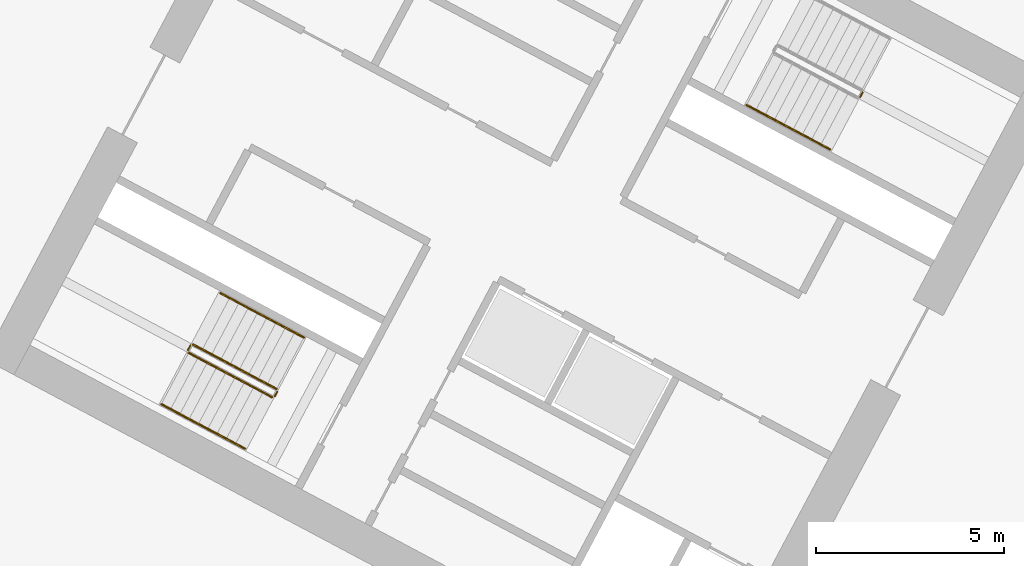
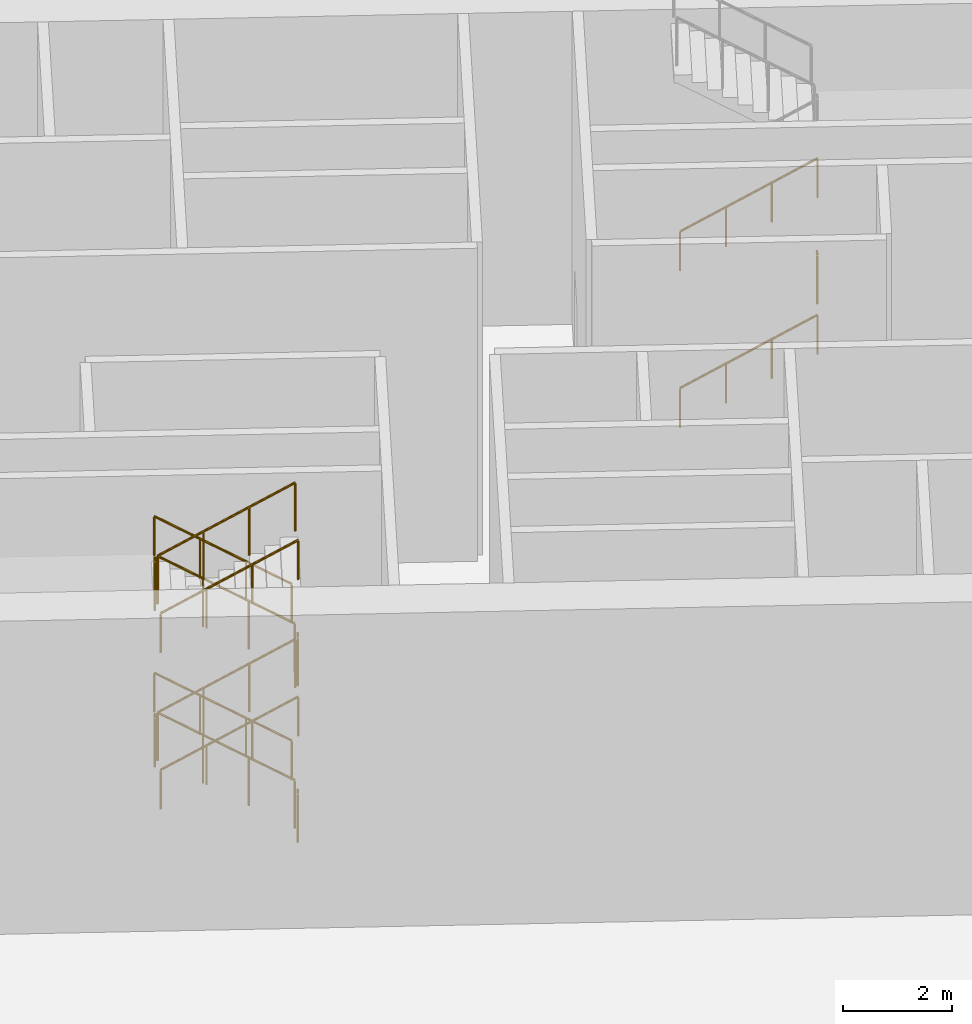
# One storey, part 43 of 57: 15 railings.
"""IFC4 building model written with IfcOpenShell, lengths in metres."""

import ifcopenshell
import ifcopenshell.guid

model = None  # the IFC model being written
_history = None  # IfcOwnerHistory: only IFC2X3 demands one
_inside = {}  # id of a spatial element -> (the spatial element, [elements in it])
_under = {}  # id of a project, library or spatial element -> (it, [spatial elements below it])
_declared = {}  # id of a project -> (the project, [libraries it declares])
_typed = {}  # id of a type object -> (the type object, [elements of that type])
_made_of = {}  # id of a material, layer set ... -> (it, [elements and type objects made of it])


def new_model(schema):
    """Start an empty IFC model of exactly this schema.

    Asked for "IFC4X3", IfcOpenShell would pick the latest addendum, in which some entities
    have other attributes; the version numbers below select the first issue.
    IFC2X3 requires an IfcOwnerHistory on every rooted entity: one is made here for all.
    """
    global model, _history
    if schema == "IFC4X3":
        model = ifcopenshell.file(schema_version=(4, 3, 0, 0))
    else:
        model = ifcopenshell.file(schema=schema)
    _inside.clear()
    _under.clear()
    _declared.clear()
    _typed.clear()
    _made_of.clear()
    _history = None
    if model.schema == "IFC2X3":
        org = make("IfcOrganization", Name="unknown")
        user = make(
            "IfcPersonAndOrganization",
            ThePerson=make("IfcPerson", FamilyName="unknown"),
            TheOrganization=org,
        )
        app = make(
            "IfcApplication",
            ApplicationDeveloper=org,
            Version="unknown",
            ApplicationFullName="unknown",
            ApplicationIdentifier="unknown",
        )
        _history = make(
            "IfcOwnerHistory",
            OwningUser=user,
            OwningApplication=app,
            ChangeAction="ADDED",
            CreationDate=0,
        )
    return model


def make(cls, **values):
    """One entity of the class cls with the attributes given. An attribute that is None is left unset."""
    return model.create_entity(
        cls, **{name: value for name, value in values.items() if value is not None}
    )


def rooted(cls, **values):
    """An entity with a GlobalId (a new one), such as an element, a storey or a relation."""
    return make(cls, GlobalId=ifcopenshell.guid.new(), OwnerHistory=_history, **values)


def si_unit(unit_type, name, prefix=None):
    """IfcSIUnit, for example si_unit("LENGTHUNIT", "METRE", prefix="MILLI")."""
    return make("IfcSIUnit", UnitType=unit_type, Prefix=prefix, Name=name)


def assignment(units):
    """IfcUnitAssignment: the units of a project."""
    return None if units is None else make("IfcUnitAssignment", Units=units)


def point(xyz):
    """IfcCartesianPoint."""
    return None if xyz is None else make("IfcCartesianPoint", Coordinates=xyz)


def direction(xyz):
    """IfcDirection."""
    return None if xyz is None else make("IfcDirection", DirectionRatios=xyz)


def frame(location, z_axis=None, x_axis=None):
    """IfcAxis2Placement3D, a coordinate frame: its origin and axes. An axis left out is left unset."""
    return make(
        "IfcAxis2Placement3D",
        Location=point(location),
        Axis=direction(z_axis),
        RefDirection=direction(x_axis),
    )


def origin():
    """The frame at (0, 0, 0) with its axes left unset."""
    return frame((0.0, 0.0, 0.0))


def place(relative_to, where):
    """IfcLocalPlacement: puts the frame where relative to a parent placement (None: the world)."""
    return make(
        "IfcLocalPlacement", PlacementRelTo=relative_to, RelativePlacement=where
    )


def context(
    kind, dimensions, precision=None, world=None, true_north=None, identifier=None
):
    """IfcGeometricRepresentationContext, for example the 3D "Model" context."""
    return make(
        "IfcGeometricRepresentationContext",
        ContextIdentifier=identifier,
        ContextType=kind,
        CoordinateSpaceDimension=dimensions,
        Precision=precision,
        WorldCoordinateSystem=world,
        TrueNorth=true_north,
    )


def subcontext(parent, identifier, kind, view, scale=None):
    """IfcGeometricRepresentationSubContext, for example "Body" below "Model"."""
    return make(
        "IfcGeometricRepresentationSubContext",
        ContextIdentifier=identifier,
        ContextType=kind,
        ParentContext=parent,
        TargetScale=scale,
        TargetView=view,
    )


def project(units=None, contexts=None):
    """IfcProject with its units and contexts."""
    return rooted(
        "IfcProject",
        Name="project",
        RepresentationContexts=contexts,
        UnitsInContext=assignment(units),
    )


def spatial(cls, under=None, at=None, **own):
    """A site, building, storey or space (cls), placed at a placement, below another one or the project."""
    s = rooted(cls, ObjectPlacement=at, **own)
    if under is not None:
        _under.setdefault(under.id(), (under, []))[1].append(s)
    return s


def polyline(points):
    """IfcPolyline through the points."""
    return make("IfcPolyline", Points=[point(p) for p in points])


def outline(outer, holes=None, kind="AREA"):
    """IfcArbitraryClosedProfileDef: a profile drawn as a closed curve; with holes, ...WithVoids."""
    if holes is None:
        return make("IfcArbitraryClosedProfileDef", ProfileType=kind, OuterCurve=outer)
    return make(
        "IfcArbitraryProfileDefWithVoids",
        ProfileType=kind,
        OuterCurve=outer,
        InnerCurves=holes,
    )


def extrude(swept, where, along, depth):
    """IfcExtrudedAreaSolid: the profile swept, set in the frame where, extruded along a direction by depth."""
    return make(
        "IfcExtrudedAreaSolid",
        SweptArea=swept,
        Position=where,
        ExtrudedDirection=direction(along),
        Depth=depth,
    )


def shape(context_of_items, identifier, shape_type, items):
    """IfcShapeRepresentation: the items that make up one representation, for example the "Body"."""
    return make(
        "IfcShapeRepresentation",
        ContextOfItems=context_of_items,
        RepresentationIdentifier=identifier,
        RepresentationType=shape_type,
        Items=items,
    )


def material(Name=None, Category=None):
    """IfcMaterial."""
    return make("IfcMaterial", Name=Name, Category=Category)


def made_of(thing, what):
    """Note that an element or type object is made of a material, layer set ...; save() writes the relation."""
    if what is not None:
        _made_of.setdefault(what.id(), (what, []))[1].append(thing)
    return thing


def type_object(cls, material=None, **own):
    """A type object (cls), such as IfcWallType, which elements share."""
    return made_of(rooted(cls, **own), material)


def element(
    cls,
    number,
    at=None,
    inside=None,
    cuts=None,
    type_object=None,
    material=None,
    context=None,
    identifier="Body",
    shape_type=None,
    held_by="IfcProductDefinitionShape",
    body=None,
    shapes=None,
    **own,
):
    """One element of the class cls, such as IfcWall. Its Tag is "e" and its number.

    at: its placement. inside: the storey or other place that contains it. cuts: it is an
    opening in that element (IfcRelVoidsElement). A single representation is given by context,
    identifier, shape_type and body (its items); several are given by shapes. held_by: the class
    of the entity that holds the representations. save() writes the other relations.
    """
    e = rooted(cls, Tag="e%d" % number, ObjectPlacement=at, **own)
    if body is not None:
        shapes = [shape(context, identifier, shape_type, body)]
    if shapes is not None:
        e.Representation = make(held_by, Representations=shapes)
    if inside is not None:
        _inside.setdefault(inside.id(), (inside, []))[1].append(e)
    if cuts is not None:
        rooted(
            "IfcRelVoidsElement", RelatingBuildingElement=cuts, RelatedOpeningElement=e
        )
    if type_object is not None:
        _typed.setdefault(type_object.id(), (type_object, []))[1].append(e)
    return made_of(e, material)


def aggregate(whole, parts):
    """IfcRelAggregates: a whole, such as a stair, and the parts it consists of."""
    return rooted("IfcRelAggregates", RelatingObject=whole, RelatedObjects=parts)


def save(model, path):
    """Write the relations noted so far, then the file.

    IfcRelAggregates (storeys below a building ...), IfcRelContainedInSpatialStructure (elements
    in a storey), IfcRelDefinesByType, IfcRelAssociatesMaterial and IfcRelDeclares: one each for
    every whole, place, type object, material and project.
    """
    for whole, parts in _under.values():
        aggregate(whole, parts)
    for where, things in _inside.values():
        rooted(
            "IfcRelContainedInSpatialStructure",
            RelatedElements=things,
            RelatingStructure=where,
        )
    for kind, things in _typed.values():
        rooted("IfcRelDefinesByType", RelatedObjects=things, RelatingType=kind)
    for what, things in _made_of.values():
        rooted("IfcRelAssociatesMaterial", RelatedObjects=things, RelatingMaterial=what)
    for by, libraries in _declared.values():
        rooted("IfcRelDeclares", RelatingContext=by, RelatedDefinitions=libraries)
    model.write(path)


model = new_model("IFC4")

# Units and contexts
model_context = context("Model", 3, precision=1e-05, world=origin(), true_north=direction((0.0, 1.0)))
body_context = subcontext(model_context, "Body", "Model", "MODEL_VIEW")
ifc_project = project(units=[si_unit("LENGTHUNIT", "METRE"), si_unit("AREAUNIT", "SQUARE_METRE"), si_unit("VOLUMEUNIT", "CUBIC_METRE"), si_unit("PLANEANGLEUNIT", "RADIAN"), si_unit("MASSUNIT", "GRAM", prefix="KILO")], contexts=[model_context])

# Site, building, storey
site_placement = place(None, origin())
site = spatial("IfcSite", under=ifc_project, at=site_placement, CompositionType="ELEMENT")
building_placement = place(site_placement, origin())
building = spatial("IfcBuilding", under=site, at=building_placement, Name="Cormorant Relay Tower", CompositionType="ELEMENT")
storey_placement = place(building_placement, origin())
storey = spatial("IfcBuildingStorey", under=building, at=storey_placement, Name="L00", CompositionType="ELEMENT", Elevation=0.0)

# Railings
ifc_material_1 = material(Name="Steel ASTM A572 Grade 50 (Fy 345 MPa)", Category="steel")
railing_type_1 = type_object("IfcRailingType", Name="Stair guard 1100", PredefinedType="GUARDRAIL", material=ifc_material_1)
railing_1_placement = place(storey_placement, frame((-18.4580078125, 17.85546875, 1.75)))
element("IfcRailing", 1, at=railing_1_placement, inside=storey, type_object=railing_type_1, Name="L00 A1 stair guard 2", PredefinedType="GUARDRAIL", context=body_context, shape_type="SweptSolid", body=[
    extrude(outline(polyline([(0.022216796875, 0.00927734375), (0.00927734375, 0.022216796875), (-0.00927734375, 0.022216796875), (-0.022216796875, 0.00927734375), (-0.022216796875, -0.00927734375), (-0.00927734375, -0.022216796875), (0.00927734375, -0.022216796875), (0.022216796875, -0.00927734375), (0.022216796875, 0.00927734375)])), frame((0.0, 0.0, 1.076171875), z_axis=(0.469828648786, 0.882757634224, 0.0), x_axis=(-0.882757634224, 0.469828648786, 0.0)), (0.0, 0.0, 1.0), 0.150146484375),
    extrude(outline(polyline([(0.019287109375, 0.008056640625), (0.008056640625, 0.019287109375), (-0.008056640625, 0.019287109375), (-0.019287109375, 0.008056640625), (-0.019287109375, -0.008056640625), (-0.008056640625, -0.019287109375), (0.008056640625, -0.019287109375), (0.019287109375, -0.008056640625), (0.019287109375, 0.008056640625)])), origin(), (0.0, 0.0, 1.0), 1.052001953125),
    extrude(outline(polyline([(0.019287109375, 0.008056640625), (0.008056640625, 0.019287109375), (-0.008056640625, 0.019287109375), (-0.019287109375, 0.008056640625), (-0.019287109375, -0.008056640625), (-0.008056640625, -0.019287109375), (0.008056640625, -0.019287109375), (0.019287109375, -0.008056640625), (0.019287109375, 0.008056640625)])), frame((0.070556640625, 0.132568359375, 0.0)), (0.0, 0.0, 1.0), 1.052001953125),
])
railing_2_placement = place(storey_placement, frame((-33.9921875, 10.08935546875, 0.175048828125)))
element("IfcRailing", 2, at=railing_2_placement, inside=storey, type_object=railing_type_1, Name="L00 A2 stair guard 1", PredefinedType="GUARDRAIL", context=body_context, shape_type="SweptSolid", body=[
    extrude(outline(polyline([(0.022216796875, 0.00927734375), (0.00927734375, 0.022216796875), (-0.00927734375, 0.022216796875), (-0.022216796875, 0.00927734375), (-0.022216796875, -0.00927734375), (-0.00927734375, -0.022216796875), (0.00927734375, -0.022216796875), (0.022216796875, -0.00927734375), (0.022216796875, 0.00927734375)])), frame((0.0, 0.0, 1.076171875), z_axis=(-0.74875116571, 0.398118076479, 0.529975177748), x_axis=(-0.4694715809, -0.882947583228, 0.0)), (0.0, 0.0, 1.0), 2.9716796875),
    extrude(outline(polyline([(0.019287109375, 0.008056640625), (0.008056640625, 0.019287109375), (-0.008056640625, 0.019287109375), (-0.019287109375, 0.008056640625), (-0.019287109375, -0.008056640625), (-0.008056640625, -0.019287109375), (0.008056640625, -0.019287109375), (0.019287109375, -0.008056640625), (0.019287109375, 0.008056640625)])), origin(), (0.0, 0.0, 1.0), 1.052001953125),
    extrude(outline(polyline([(0.019287109375, 0.008056640625), (0.008056640625, 0.019287109375), (-0.008056640625, 0.019287109375), (-0.019287109375, 0.008056640625), (-0.019287109375, -0.008056640625), (-0.008056640625, -0.019287109375), (0.008056640625, -0.019287109375), (0.019287109375, -0.008056640625), (0.019287109375, 0.008056640625)])), frame((-0.74169921875, 0.394287109375, 0.52490234375)), (0.0, 0.0, 1.0), 1.052001953125),
    extrude(outline(polyline([(0.019287109375, 0.008056640625), (0.008056640625, 0.019287109375), (-0.008056640625, 0.019287109375), (-0.019287109375, 0.008056640625), (-0.019287109375, -0.008056640625), (-0.008056640625, -0.019287109375), (0.008056640625, -0.019287109375), (0.019287109375, -0.008056640625), (0.019287109375, 0.008056640625)])), frame((-1.4833984375, 0.788818359375, 1.050048828125)), (0.0, 0.0, 1.0), 1.052001953125),
    extrude(outline(polyline([(0.019287109375, 0.008056640625), (0.008056640625, 0.019287109375), (-0.008056640625, 0.019287109375), (-0.019287109375, 0.008056640625), (-0.019287109375, -0.008056640625), (-0.008056640625, -0.019287109375), (0.008056640625, -0.019287109375), (0.019287109375, -0.008056640625), (0.019287109375, 0.008056640625)])), frame((-2.22509765625, 1.18310546875, 1.574951171875)), (0.0, 0.0, 1.0), 1.052001953125),
])
railing_3_placement = place(storey_placement, frame((-36.284912109375, 11.251708984375, 1.75)))
element("IfcRailing", 3, at=railing_3_placement, inside=storey, type_object=railing_type_1, Name="L00 A2 stair guard 2", PredefinedType="GUARDRAIL", context=body_context, shape_type="SweptSolid", body=[
    extrude(outline(polyline([(0.022216796875, 0.00927734375), (0.00927734375, 0.022216796875), (-0.00927734375, 0.022216796875), (-0.022216796875, 0.00927734375), (-0.022216796875, -0.00927734375), (-0.00927734375, -0.022216796875), (0.00927734375, -0.022216796875), (0.022216796875, -0.00927734375), (0.022216796875, 0.00927734375)])), frame((0.0, 0.0, 1.076171875), z_axis=(-0.469234640946, -0.883073525669, 0.0), x_axis=(0.883073525669, -0.469234640946, 0.0)), (0.0, 0.0, 1.0), 0.14990234375),
    extrude(outline(polyline([(0.019287109375, 0.008056640625), (0.008056640625, 0.019287109375), (-0.008056640625, 0.019287109375), (-0.019287109375, 0.008056640625), (-0.019287109375, -0.008056640625), (-0.008056640625, -0.019287109375), (0.008056640625, -0.019287109375), (0.019287109375, -0.008056640625), (0.019287109375, 0.008056640625)])), origin(), (0.0, 0.0, 1.0), 1.052001953125),
    extrude(outline(polyline([(0.019287109375, 0.008056640625), (0.008056640625, 0.019287109375), (-0.008056640625, 0.019287109375), (-0.019287109375, 0.008056640625), (-0.019287109375, -0.008056640625), (-0.008056640625, -0.019287109375), (0.008056640625, -0.019287109375), (0.019287109375, -0.008056640625), (0.019287109375, 0.008056640625)])), frame((-0.0703125, -0.13232421875, 0.0)), (0.0, 0.0, 1.0), 1.052001953125),
])
railing_4_placement = place(storey_placement, frame((-36.334716796875, 11.0517578125, 1.925048828125)))
element("IfcRailing", 4, at=railing_4_placement, inside=storey, type_object=railing_type_1, Name="L00 A2 stair guard 3", PredefinedType="GUARDRAIL", context=body_context, shape_type="SweptSolid", body=[
    extrude(outline(polyline([(0.022216796875, 0.00927734375), (0.00927734375, 0.022216796875), (-0.00927734375, 0.022216796875), (-0.022216796875, 0.00927734375), (-0.022216796875, -0.00927734375), (-0.00927734375, -0.022216796875), (0.00927734375, -0.022216796875), (0.022216796875, -0.00927734375), (0.022216796875, 0.00927734375)])), frame((0.0, 0.0, 1.076171875), z_axis=(0.74875116571, -0.398118076479, 0.529975177748), x_axis=(0.4694715809, 0.882947583228, 0.0)), (0.0, 0.0, 1.0), 2.9716796875),
    extrude(outline(polyline([(0.019287109375, 0.008056640625), (0.008056640625, 0.019287109375), (-0.008056640625, 0.019287109375), (-0.019287109375, 0.008056640625), (-0.019287109375, -0.008056640625), (-0.008056640625, -0.019287109375), (0.008056640625, -0.019287109375), (0.019287109375, -0.008056640625), (0.019287109375, 0.008056640625)])), origin(), (0.0, 0.0, 1.0), 1.052001953125),
    extrude(outline(polyline([(0.019287109375, 0.008056640625), (0.008056640625, 0.019287109375), (-0.008056640625, 0.019287109375), (-0.019287109375, 0.008056640625), (-0.019287109375, -0.008056640625), (-0.008056640625, -0.019287109375), (0.008056640625, -0.019287109375), (0.019287109375, -0.008056640625), (0.019287109375, 0.008056640625)])), frame((0.74169921875, -0.394287109375, 0.52490234375)), (0.0, 0.0, 1.0), 1.052001953125),
    extrude(outline(polyline([(0.019287109375, 0.008056640625), (0.008056640625, 0.019287109375), (-0.008056640625, 0.019287109375), (-0.019287109375, 0.008056640625), (-0.019287109375, -0.008056640625), (-0.008056640625, -0.019287109375), (0.008056640625, -0.019287109375), (0.019287109375, -0.008056640625), (0.019287109375, 0.008056640625)])), frame((1.4833984375, -0.788818359375, 1.050048828125)), (0.0, 0.0, 1.0), 1.052001953125),
    extrude(outline(polyline([(0.019287109375, 0.008056640625), (0.008056640625, 0.019287109375), (-0.008056640625, 0.019287109375), (-0.019287109375, 0.008056640625), (-0.019287109375, -0.008056640625), (-0.008056640625, -0.019287109375), (0.008056640625, -0.019287109375), (0.019287109375, -0.008056640625), (0.019287109375, 0.008056640625)])), frame((2.22509765625, -1.18310546875, 1.574951171875)), (0.0, 0.0, 1.0), 1.052001953125),
])
railing_5_placement = place(storey_placement, frame((-33.971435546875, 10.021728515625, 3.5)))
element("IfcRailing", 5, at=railing_5_placement, inside=storey, type_object=railing_type_1, Name="L00 A2 stair guard 4", PredefinedType="GUARDRAIL", context=body_context, shape_type="SweptSolid", body=[
    extrude(outline(polyline([(0.022216796875, 0.00927734375), (0.00927734375, 0.022216796875), (-0.00927734375, 0.022216796875), (-0.022216796875, 0.00927734375), (-0.022216796875, -0.00927734375), (-0.00927734375, -0.022216796875), (0.00927734375, -0.022216796875), (0.022216796875, -0.00927734375), (0.022216796875, 0.00927734375)])), frame((0.0, 0.0, 1.076171875), z_axis=(-0.470503732759, -0.882398003998, 0.0), x_axis=(0.882398003998, -0.470503732759, 0.0)), (0.0, 0.0, 1.0), 0.14990234375),
    extrude(outline(polyline([(0.019287109375, 0.008056640625), (0.008056640625, 0.019287109375), (-0.008056640625, 0.019287109375), (-0.019287109375, 0.008056640625), (-0.019287109375, -0.008056640625), (-0.008056640625, -0.019287109375), (0.008056640625, -0.019287109375), (0.019287109375, -0.008056640625), (0.019287109375, 0.008056640625)])), origin(), (0.0, 0.0, 1.0), 1.052001953125),
    extrude(outline(polyline([(0.019287109375, 0.008056640625), (0.008056640625, 0.019287109375), (-0.008056640625, 0.019287109375), (-0.019287109375, 0.008056640625), (-0.019287109375, -0.008056640625), (-0.008056640625, -0.019287109375), (0.008056640625, -0.019287109375), (0.019287109375, -0.008056640625), (0.019287109375, 0.008056640625)])), frame((-0.070556640625, -0.13232421875, 0.0)), (0.0, 0.0, 1.0), 1.052001953125),
])
railing_6_placement = place(storey_placement, frame((-33.9921875, 10.08935546875, 3.675048828125)))
element("IfcRailing", 6, at=railing_6_placement, inside=storey, type_object=railing_type_1, Name="L00 A2 stair guard 5", PredefinedType="GUARDRAIL", context=body_context, shape_type="SweptSolid", body=[
    extrude(outline(polyline([(0.022216796875, 0.00927734375), (0.00927734375, 0.022216796875), (-0.00927734375, 0.022216796875), (-0.022216796875, 0.00927734375), (-0.022216796875, -0.00927734375), (-0.00927734375, -0.022216796875), (0.00927734375, -0.022216796875), (0.022216796875, -0.00927734375), (0.022216796875, 0.00927734375)])), frame((0.0, 0.0, 1.076171875), z_axis=(-0.74875116571, 0.398118076479, 0.529975177748), x_axis=(-0.4694715809, -0.882947583228, 0.0)), (0.0, 0.0, 1.0), 2.9716796875),
    extrude(outline(polyline([(0.019287109375, 0.008056640625), (0.008056640625, 0.019287109375), (-0.008056640625, 0.019287109375), (-0.019287109375, 0.008056640625), (-0.019287109375, -0.008056640625), (-0.008056640625, -0.019287109375), (0.008056640625, -0.019287109375), (0.019287109375, -0.008056640625), (0.019287109375, 0.008056640625)])), origin(), (0.0, 0.0, 1.0), 1.052001953125),
    extrude(outline(polyline([(0.019287109375, 0.008056640625), (0.008056640625, 0.019287109375), (-0.008056640625, 0.019287109375), (-0.019287109375, 0.008056640625), (-0.019287109375, -0.008056640625), (-0.008056640625, -0.019287109375), (0.008056640625, -0.019287109375), (0.019287109375, -0.008056640625), (0.019287109375, 0.008056640625)])), frame((-0.74169921875, 0.394287109375, 0.52490234375)), (0.0, 0.0, 1.0), 1.052001953125),
    extrude(outline(polyline([(0.019287109375, 0.008056640625), (0.008056640625, 0.019287109375), (-0.008056640625, 0.019287109375), (-0.019287109375, 0.008056640625), (-0.019287109375, -0.008056640625), (-0.008056640625, -0.019287109375), (0.008056640625, -0.019287109375), (0.019287109375, -0.008056640625), (0.019287109375, 0.008056640625)])), frame((-1.4833984375, 0.788818359375, 1.050048828125)), (0.0, 0.0, 1.0), 1.052001953125),
    extrude(outline(polyline([(0.019287109375, 0.008056640625), (0.008056640625, 0.019287109375), (-0.008056640625, 0.019287109375), (-0.019287109375, 0.008056640625), (-0.019287109375, -0.008056640625), (-0.008056640625, -0.019287109375), (0.008056640625, -0.019287109375), (0.019287109375, -0.008056640625), (0.019287109375, 0.008056640625)])), frame((-2.22509765625, 1.18310546875, 1.574951171875)), (0.0, 0.0, 1.0), 1.052001953125),
])
railing_7_placement = place(storey_placement, frame((-36.284912109375, 11.251708984375, 5.25)))
element("IfcRailing", 7, at=railing_7_placement, inside=storey, type_object=railing_type_1, Name="L00 A2 stair guard 6", PredefinedType="GUARDRAIL", context=body_context, shape_type="SweptSolid", body=[
    extrude(outline(polyline([(0.022216796875, 0.00927734375), (0.00927734375, 0.022216796875), (-0.00927734375, 0.022216796875), (-0.022216796875, 0.00927734375), (-0.022216796875, -0.00927734375), (-0.00927734375, -0.022216796875), (0.00927734375, -0.022216796875), (0.022216796875, -0.00927734375), (0.022216796875, 0.00927734375)])), frame((0.0, 0.0, 1.076171875), z_axis=(-0.469234640946, -0.883073525669, 0.0), x_axis=(0.883073525669, -0.469234640946, 0.0)), (0.0, 0.0, 1.0), 0.14990234375),
    extrude(outline(polyline([(0.019287109375, 0.008056640625), (0.008056640625, 0.019287109375), (-0.008056640625, 0.019287109375), (-0.019287109375, 0.008056640625), (-0.019287109375, -0.008056640625), (-0.008056640625, -0.019287109375), (0.008056640625, -0.019287109375), (0.019287109375, -0.008056640625), (0.019287109375, 0.008056640625)])), origin(), (0.0, 0.0, 1.0), 1.052001953125),
    extrude(outline(polyline([(0.019287109375, 0.008056640625), (0.008056640625, 0.019287109375), (-0.008056640625, 0.019287109375), (-0.019287109375, 0.008056640625), (-0.019287109375, -0.008056640625), (-0.008056640625, -0.019287109375), (0.008056640625, -0.019287109375), (0.019287109375, -0.008056640625), (0.019287109375, 0.008056640625)])), frame((-0.0703125, -0.13232421875, 0.0)), (0.0, 0.0, 1.0), 1.052001953125),
])
railing_8_placement = place(storey_placement, frame((-36.334716796875, 11.0517578125, 5.425048828125)))
element("IfcRailing", 8, at=railing_8_placement, inside=storey, type_object=railing_type_1, Name="L00 A2 stair guard 7", PredefinedType="GUARDRAIL", context=body_context, shape_type="SweptSolid", body=[
    extrude(outline(polyline([(0.022216796875, 0.00927734375), (0.00927734375, 0.022216796875), (-0.00927734375, 0.022216796875), (-0.022216796875, 0.00927734375), (-0.022216796875, -0.00927734375), (-0.00927734375, -0.022216796875), (0.00927734375, -0.022216796875), (0.022216796875, -0.00927734375), (0.022216796875, 0.00927734375)])), frame((0.0, 0.0, 1.076171875), z_axis=(0.74875116571, -0.398118076479, 0.529975177748), x_axis=(0.4694715809, 0.882947583228, 0.0)), (0.0, 0.0, 1.0), 2.9716796875),
    extrude(outline(polyline([(0.019287109375, 0.008056640625), (0.008056640625, 0.019287109375), (-0.008056640625, 0.019287109375), (-0.019287109375, 0.008056640625), (-0.019287109375, -0.008056640625), (-0.008056640625, -0.019287109375), (0.008056640625, -0.019287109375), (0.019287109375, -0.008056640625), (0.019287109375, 0.008056640625)])), origin(), (0.0, 0.0, 1.0), 1.052001953125),
    extrude(outline(polyline([(0.019287109375, 0.008056640625), (0.008056640625, 0.019287109375), (-0.008056640625, 0.019287109375), (-0.019287109375, 0.008056640625), (-0.019287109375, -0.008056640625), (-0.008056640625, -0.019287109375), (0.008056640625, -0.019287109375), (0.019287109375, -0.008056640625), (0.019287109375, 0.008056640625)])), frame((0.74169921875, -0.394287109375, 0.52490234375)), (0.0, 0.0, 1.0), 1.052001953125),
    extrude(outline(polyline([(0.019287109375, 0.008056640625), (0.008056640625, 0.019287109375), (-0.008056640625, 0.019287109375), (-0.019287109375, 0.008056640625), (-0.019287109375, -0.008056640625), (-0.008056640625, -0.019287109375), (0.008056640625, -0.019287109375), (0.019287109375, -0.008056640625), (0.019287109375, 0.008056640625)])), frame((1.4833984375, -0.788818359375, 1.050048828125)), (0.0, 0.0, 1.0), 1.052001953125),
    extrude(outline(polyline([(0.019287109375, 0.008056640625), (0.008056640625, 0.019287109375), (-0.008056640625, 0.019287109375), (-0.019287109375, 0.008056640625), (-0.019287109375, -0.008056640625), (-0.008056640625, -0.019287109375), (0.008056640625, -0.019287109375), (0.019287109375, -0.008056640625), (0.019287109375, 0.008056640625)])), frame((2.22509765625, -1.18310546875, 1.574951171875)), (0.0, 0.0, 1.0), 1.052001953125),
])
railing_9_placement = place(storey_placement, frame((-33.971435546875, 10.021728515625, 0.0)))
element("IfcRailing", 9, at=railing_9_placement, inside=storey, type_object=railing_type_1, Name="L00 A2 stair guard 8", PredefinedType="GUARDRAIL", context=body_context, shape_type="SweptSolid", body=[
    extrude(outline(polyline([(0.022216796875, 0.00927734375), (0.00927734375, 0.022216796875), (-0.00927734375, 0.022216796875), (-0.022216796875, 0.00927734375), (-0.022216796875, -0.00927734375), (-0.00927734375, -0.022216796875), (0.00927734375, -0.022216796875), (0.022216796875, -0.00927734375), (0.022216796875, 0.00927734375)])), frame((0.0, 0.0, 1.076171875), z_axis=(-0.470503732759, -0.882398003998, 0.0), x_axis=(0.882398003998, -0.470503732759, 0.0)), (0.0, 0.0, 1.0), 0.14990234375),
    extrude(outline(polyline([(0.019287109375, 0.008056640625), (0.008056640625, 0.019287109375), (-0.008056640625, 0.019287109375), (-0.019287109375, 0.008056640625), (-0.019287109375, -0.008056640625), (-0.008056640625, -0.019287109375), (0.008056640625, -0.019287109375), (0.019287109375, -0.008056640625), (0.019287109375, 0.008056640625)])), origin(), (0.0, 0.0, 1.0), 1.052001953125),
    extrude(outline(polyline([(0.019287109375, 0.008056640625), (0.008056640625, 0.019287109375), (-0.008056640625, 0.019287109375), (-0.019287109375, 0.008056640625), (-0.019287109375, -0.008056640625), (-0.008056640625, -0.019287109375), (0.008056640625, -0.019287109375), (0.019287109375, -0.008056640625), (0.019287109375, 0.008056640625)])), frame((-0.070556640625, -0.13232421875, 0.0)), (0.0, 0.0, 1.0), 1.052001953125),
])
ifc_material_2 = material(Name="Steel ASTM A572 Grade 50 (Fy 345 MPa)", Category="steel")
railing_type_2 = type_object("IfcRailingType", Name="Stair handrail 900", PredefinedType="HANDRAIL", material=ifc_material_2)
railing_10_placement = place(storey_placement, frame((-21.478271484375, 17.6494140625, 0.175048828125)))
element("IfcRailing", 10, at=railing_10_placement, inside=storey, type_object=railing_type_2, Name="L00 A1 stair handrail 1", PredefinedType="HANDRAIL", context=body_context, shape_type="SweptSolid", body=[
    extrude(outline(polyline([(0.022216796875, 0.00927734375), (0.00927734375, 0.022216796875), (-0.00927734375, 0.022216796875), (-0.022216796875, 0.00927734375), (-0.022216796875, -0.00927734375), (-0.00927734375, -0.022216796875), (0.00927734375, -0.022216796875), (0.022216796875, -0.00927734375), (0.022216796875, 0.00927734375)])), frame((0.0, 0.0, 0.8759765625), z_axis=(0.74875116571, -0.398118076479, 0.529975177748), x_axis=(0.4694715809, 0.882947583228, 0.0)), (0.0, 0.0, 1.0), 2.9716796875),
    extrude(outline(polyline([(0.019287109375, 0.008056640625), (0.008056640625, 0.019287109375), (-0.008056640625, 0.019287109375), (-0.019287109375, 0.008056640625), (-0.019287109375, -0.008056640625), (-0.008056640625, -0.019287109375), (0.008056640625, -0.019287109375), (0.019287109375, -0.008056640625), (0.019287109375, 0.008056640625)])), origin(), (0.0, 0.0, 1.0), 0.851806640625),
    extrude(outline(polyline([(0.019287109375, 0.008056640625), (0.008056640625, 0.019287109375), (-0.008056640625, 0.019287109375), (-0.019287109375, 0.008056640625), (-0.019287109375, -0.008056640625), (-0.008056640625, -0.019287109375), (0.008056640625, -0.019287109375), (0.019287109375, -0.008056640625), (0.019287109375, 0.008056640625)])), frame((0.74169921875, -0.394287109375, 0.52490234375)), (0.0, 0.0, 1.0), 0.851806640625),
    extrude(outline(polyline([(0.019287109375, 0.008056640625), (0.008056640625, 0.019287109375), (-0.008056640625, 0.019287109375), (-0.019287109375, 0.008056640625), (-0.019287109375, -0.008056640625), (-0.008056640625, -0.019287109375), (0.008056640625, -0.019287109375), (0.019287109375, -0.008056640625), (0.019287109375, 0.008056640625)])), frame((1.4833984375, -0.788818359375, 1.050048828125)), (0.0, 0.0, 1.0), 0.851806640625),
    extrude(outline(polyline([(0.019287109375, 0.008056640625), (0.008056640625, 0.019287109375), (-0.008056640625, 0.019287109375), (-0.019287109375, 0.008056640625), (-0.019287109375, -0.008056640625), (-0.008056640625, -0.019287109375), (0.008056640625, -0.019287109375), (0.019287109375, -0.008056640625), (0.019287109375, 0.008056640625)])), frame((2.22509765625, -1.18310546875, 1.574951171875)), (0.0, 0.0, 1.0), 0.851806640625),
])
railing_11_placement = place(storey_placement, frame((-21.478271484375, 17.6494140625, 3.675048828125)))
element("IfcRailing", 11, at=railing_11_placement, inside=storey, type_object=railing_type_2, Name="L00 A1 stair handrail 3", PredefinedType="HANDRAIL", context=body_context, shape_type="SweptSolid", body=[
    extrude(outline(polyline([(0.022216796875, 0.00927734375), (0.00927734375, 0.022216796875), (-0.00927734375, 0.022216796875), (-0.022216796875, 0.00927734375), (-0.022216796875, -0.00927734375), (-0.00927734375, -0.022216796875), (0.00927734375, -0.022216796875), (0.022216796875, -0.00927734375), (0.022216796875, 0.00927734375)])), frame((0.0, 0.0, 0.8759765625), z_axis=(0.74875116571, -0.398118076479, 0.529975177748), x_axis=(0.4694715809, 0.882947583228, 0.0)), (0.0, 0.0, 1.0), 2.9716796875),
    extrude(outline(polyline([(0.019287109375, 0.008056640625), (0.008056640625, 0.019287109375), (-0.008056640625, 0.019287109375), (-0.019287109375, 0.008056640625), (-0.019287109375, -0.008056640625), (-0.008056640625, -0.019287109375), (0.008056640625, -0.019287109375), (0.019287109375, -0.008056640625), (0.019287109375, 0.008056640625)])), origin(), (0.0, 0.0, 1.0), 0.851806640625),
    extrude(outline(polyline([(0.019287109375, 0.008056640625), (0.008056640625, 0.019287109375), (-0.008056640625, 0.019287109375), (-0.019287109375, 0.008056640625), (-0.019287109375, -0.008056640625), (-0.008056640625, -0.019287109375), (0.008056640625, -0.019287109375), (0.019287109375, -0.008056640625), (0.019287109375, 0.008056640625)])), frame((0.74169921875, -0.394287109375, 0.52490234375)), (0.0, 0.0, 1.0), 0.851806640625),
    extrude(outline(polyline([(0.019287109375, 0.008056640625), (0.008056640625, 0.019287109375), (-0.008056640625, 0.019287109375), (-0.019287109375, 0.008056640625), (-0.019287109375, -0.008056640625), (-0.008056640625, -0.019287109375), (0.008056640625, -0.019287109375), (0.019287109375, -0.008056640625), (0.019287109375, 0.008056640625)])), frame((1.4833984375, -0.788818359375, 1.050048828125)), (0.0, 0.0, 1.0), 0.851806640625),
    extrude(outline(polyline([(0.019287109375, 0.008056640625), (0.008056640625, 0.019287109375), (-0.008056640625, 0.019287109375), (-0.019287109375, 0.008056640625), (-0.019287109375, -0.008056640625), (-0.008056640625, -0.019287109375), (0.008056640625, -0.019287109375), (0.019287109375, -0.008056640625), (0.019287109375, 0.008056640625)])), frame((2.22509765625, -1.18310546875, 1.574951171875)), (0.0, 0.0, 1.0), 0.851806640625),
])
railing_12_placement = place(storey_placement, frame((-33.264404296875, 11.4580078125, 0.175048828125)))
element("IfcRailing", 12, at=railing_12_placement, inside=storey, type_object=railing_type_2, Name="L00 A2 stair handrail 1", PredefinedType="HANDRAIL", context=body_context, shape_type="SweptSolid", body=[
    extrude(outline(polyline([(0.022216796875, 0.00927734375), (0.00927734375, 0.022216796875), (-0.00927734375, 0.022216796875), (-0.022216796875, 0.00927734375), (-0.022216796875, -0.00927734375), (-0.00927734375, -0.022216796875), (0.00927734375, -0.022216796875), (0.022216796875, -0.00927734375), (0.022216796875, 0.00927734375)])), frame((0.0, 0.0, 0.8759765625), z_axis=(-0.74875116571, 0.398118076479, 0.529975177748), x_axis=(-0.4694715809, -0.882947583228, 0.0)), (0.0, 0.0, 1.0), 2.9716796875),
    extrude(outline(polyline([(0.019287109375, 0.008056640625), (0.008056640625, 0.019287109375), (-0.008056640625, 0.019287109375), (-0.019287109375, 0.008056640625), (-0.019287109375, -0.008056640625), (-0.008056640625, -0.019287109375), (0.008056640625, -0.019287109375), (0.019287109375, -0.008056640625), (0.019287109375, 0.008056640625)])), origin(), (0.0, 0.0, 1.0), 0.851806640625),
    extrude(outline(polyline([(0.019287109375, 0.008056640625), (0.008056640625, 0.019287109375), (-0.008056640625, 0.019287109375), (-0.019287109375, 0.008056640625), (-0.019287109375, -0.008056640625), (-0.008056640625, -0.019287109375), (0.008056640625, -0.019287109375), (0.019287109375, -0.008056640625), (0.019287109375, 0.008056640625)])), frame((-0.74169921875, 0.394287109375, 0.52490234375)), (0.0, 0.0, 1.0), 0.851806640625),
    extrude(outline(polyline([(0.019287109375, 0.008056640625), (0.008056640625, 0.019287109375), (-0.008056640625, 0.019287109375), (-0.019287109375, 0.008056640625), (-0.019287109375, -0.008056640625), (-0.008056640625, -0.019287109375), (0.008056640625, -0.019287109375), (0.019287109375, -0.008056640625), (0.019287109375, 0.008056640625)])), frame((-1.4833984375, 0.788818359375, 1.050048828125)), (0.0, 0.0, 1.0), 0.851806640625),
    extrude(outline(polyline([(0.019287109375, 0.008056640625), (0.008056640625, 0.019287109375), (-0.008056640625, 0.019287109375), (-0.019287109375, 0.008056640625), (-0.019287109375, -0.008056640625), (-0.008056640625, -0.019287109375), (0.008056640625, -0.019287109375), (0.019287109375, -0.008056640625), (0.019287109375, 0.008056640625)])), frame((-2.22509765625, 1.18310546875, 1.574951171875)), (0.0, 0.0, 1.0), 0.851806640625),
])
railing_13_placement = place(storey_placement, frame((-37.062255859375, 9.68310546875, 1.925048828125)))
element("IfcRailing", 13, at=railing_13_placement, inside=storey, type_object=railing_type_2, Name="L00 A2 stair handrail 2", PredefinedType="HANDRAIL", context=body_context, shape_type="SweptSolid", body=[
    extrude(outline(polyline([(0.022216796875, 0.00927734375), (0.00927734375, 0.022216796875), (-0.00927734375, 0.022216796875), (-0.022216796875, 0.00927734375), (-0.022216796875, -0.00927734375), (-0.00927734375, -0.022216796875), (0.00927734375, -0.022216796875), (0.022216796875, -0.00927734375), (0.022216796875, 0.00927734375)])), frame((0.0, 0.0, 0.8759765625), z_axis=(0.74875116571, -0.398118076479, 0.529975177748), x_axis=(0.4694715809, 0.882947583228, 0.0)), (0.0, 0.0, 1.0), 2.9716796875),
    extrude(outline(polyline([(0.019287109375, 0.008056640625), (0.008056640625, 0.019287109375), (-0.008056640625, 0.019287109375), (-0.019287109375, 0.008056640625), (-0.019287109375, -0.008056640625), (-0.008056640625, -0.019287109375), (0.008056640625, -0.019287109375), (0.019287109375, -0.008056640625), (0.019287109375, 0.008056640625)])), origin(), (0.0, 0.0, 1.0), 0.851806640625),
    extrude(outline(polyline([(0.019287109375, 0.008056640625), (0.008056640625, 0.019287109375), (-0.008056640625, 0.019287109375), (-0.019287109375, 0.008056640625), (-0.019287109375, -0.008056640625), (-0.008056640625, -0.019287109375), (0.008056640625, -0.019287109375), (0.019287109375, -0.008056640625), (0.019287109375, 0.008056640625)])), frame((0.74169921875, -0.394287109375, 0.52490234375)), (0.0, 0.0, 1.0), 0.851806640625),
    extrude(outline(polyline([(0.019287109375, 0.008056640625), (0.008056640625, 0.019287109375), (-0.008056640625, 0.019287109375), (-0.019287109375, 0.008056640625), (-0.019287109375, -0.008056640625), (-0.008056640625, -0.019287109375), (0.008056640625, -0.019287109375), (0.019287109375, -0.008056640625), (0.019287109375, 0.008056640625)])), frame((1.4833984375, -0.788818359375, 1.050048828125)), (0.0, 0.0, 1.0), 0.851806640625),
    extrude(outline(polyline([(0.019287109375, 0.008056640625), (0.008056640625, 0.019287109375), (-0.008056640625, 0.019287109375), (-0.019287109375, 0.008056640625), (-0.019287109375, -0.008056640625), (-0.008056640625, -0.019287109375), (0.008056640625, -0.019287109375), (0.019287109375, -0.008056640625), (0.019287109375, 0.008056640625)])), frame((2.22509765625, -1.18310546875, 1.574951171875)), (0.0, 0.0, 1.0), 0.851806640625),
])
railing_14_placement = place(storey_placement, frame((-33.264404296875, 11.4580078125, 3.675048828125)))
element("IfcRailing", 14, at=railing_14_placement, inside=storey, type_object=railing_type_2, Name="L00 A2 stair handrail 3", PredefinedType="HANDRAIL", context=body_context, shape_type="SweptSolid", body=[
    extrude(outline(polyline([(0.022216796875, 0.00927734375), (0.00927734375, 0.022216796875), (-0.00927734375, 0.022216796875), (-0.022216796875, 0.00927734375), (-0.022216796875, -0.00927734375), (-0.00927734375, -0.022216796875), (0.00927734375, -0.022216796875), (0.022216796875, -0.00927734375), (0.022216796875, 0.00927734375)])), frame((0.0, 0.0, 0.8759765625), z_axis=(-0.74875116571, 0.398118076479, 0.529975177748), x_axis=(-0.4694715809, -0.882947583228, 0.0)), (0.0, 0.0, 1.0), 2.9716796875),
    extrude(outline(polyline([(0.019287109375, 0.008056640625), (0.008056640625, 0.019287109375), (-0.008056640625, 0.019287109375), (-0.019287109375, 0.008056640625), (-0.019287109375, -0.008056640625), (-0.008056640625, -0.019287109375), (0.008056640625, -0.019287109375), (0.019287109375, -0.008056640625), (0.019287109375, 0.008056640625)])), origin(), (0.0, 0.0, 1.0), 0.851806640625),
    extrude(outline(polyline([(0.019287109375, 0.008056640625), (0.008056640625, 0.019287109375), (-0.008056640625, 0.019287109375), (-0.019287109375, 0.008056640625), (-0.019287109375, -0.008056640625), (-0.008056640625, -0.019287109375), (0.008056640625, -0.019287109375), (0.019287109375, -0.008056640625), (0.019287109375, 0.008056640625)])), frame((-0.74169921875, 0.394287109375, 0.52490234375)), (0.0, 0.0, 1.0), 0.851806640625),
    extrude(outline(polyline([(0.019287109375, 0.008056640625), (0.008056640625, 0.019287109375), (-0.008056640625, 0.019287109375), (-0.019287109375, 0.008056640625), (-0.019287109375, -0.008056640625), (-0.008056640625, -0.019287109375), (0.008056640625, -0.019287109375), (0.019287109375, -0.008056640625), (0.019287109375, 0.008056640625)])), frame((-1.4833984375, 0.788818359375, 1.050048828125)), (0.0, 0.0, 1.0), 0.851806640625),
    extrude(outline(polyline([(0.019287109375, 0.008056640625), (0.008056640625, 0.019287109375), (-0.008056640625, 0.019287109375), (-0.019287109375, 0.008056640625), (-0.019287109375, -0.008056640625), (-0.008056640625, -0.019287109375), (0.008056640625, -0.019287109375), (0.019287109375, -0.008056640625), (0.019287109375, 0.008056640625)])), frame((-2.22509765625, 1.18310546875, 1.574951171875)), (0.0, 0.0, 1.0), 0.851806640625),
])
railing_15_placement = place(storey_placement, frame((-37.062255859375, 9.68310546875, 5.425048828125)))
element("IfcRailing", 15, at=railing_15_placement, inside=storey, type_object=railing_type_2, Name="L00 A2 stair handrail 4", PredefinedType="HANDRAIL", context=body_context, shape_type="SweptSolid", body=[
    extrude(outline(polyline([(0.022216796875, 0.00927734375), (0.00927734375, 0.022216796875), (-0.00927734375, 0.022216796875), (-0.022216796875, 0.00927734375), (-0.022216796875, -0.00927734375), (-0.00927734375, -0.022216796875), (0.00927734375, -0.022216796875), (0.022216796875, -0.00927734375), (0.022216796875, 0.00927734375)])), frame((0.0, 0.0, 0.8759765625), z_axis=(0.74875116571, -0.398118076479, 0.529975177748), x_axis=(0.4694715809, 0.882947583228, 0.0)), (0.0, 0.0, 1.0), 2.9716796875),
    extrude(outline(polyline([(0.019287109375, 0.008056640625), (0.008056640625, 0.019287109375), (-0.008056640625, 0.019287109375), (-0.019287109375, 0.008056640625), (-0.019287109375, -0.008056640625), (-0.008056640625, -0.019287109375), (0.008056640625, -0.019287109375), (0.019287109375, -0.008056640625), (0.019287109375, 0.008056640625)])), origin(), (0.0, 0.0, 1.0), 0.851806640625),
    extrude(outline(polyline([(0.019287109375, 0.008056640625), (0.008056640625, 0.019287109375), (-0.008056640625, 0.019287109375), (-0.019287109375, 0.008056640625), (-0.019287109375, -0.008056640625), (-0.008056640625, -0.019287109375), (0.008056640625, -0.019287109375), (0.019287109375, -0.008056640625), (0.019287109375, 0.008056640625)])), frame((0.74169921875, -0.394287109375, 0.52490234375)), (0.0, 0.0, 1.0), 0.851806640625),
    extrude(outline(polyline([(0.019287109375, 0.008056640625), (0.008056640625, 0.019287109375), (-0.008056640625, 0.019287109375), (-0.019287109375, 0.008056640625), (-0.019287109375, -0.008056640625), (-0.008056640625, -0.019287109375), (0.008056640625, -0.019287109375), (0.019287109375, -0.008056640625), (0.019287109375, 0.008056640625)])), frame((1.4833984375, -0.788818359375, 1.050048828125)), (0.0, 0.0, 1.0), 0.851806640625),
    extrude(outline(polyline([(0.019287109375, 0.008056640625), (0.008056640625, 0.019287109375), (-0.008056640625, 0.019287109375), (-0.019287109375, 0.008056640625), (-0.019287109375, -0.008056640625), (-0.008056640625, -0.019287109375), (0.008056640625, -0.019287109375), (0.019287109375, -0.008056640625), (0.019287109375, 0.008056640625)])), frame((2.22509765625, -1.18310546875, 1.574951171875)), (0.0, 0.0, 1.0), 0.851806640625),
])

save(model, "model.ifc")
